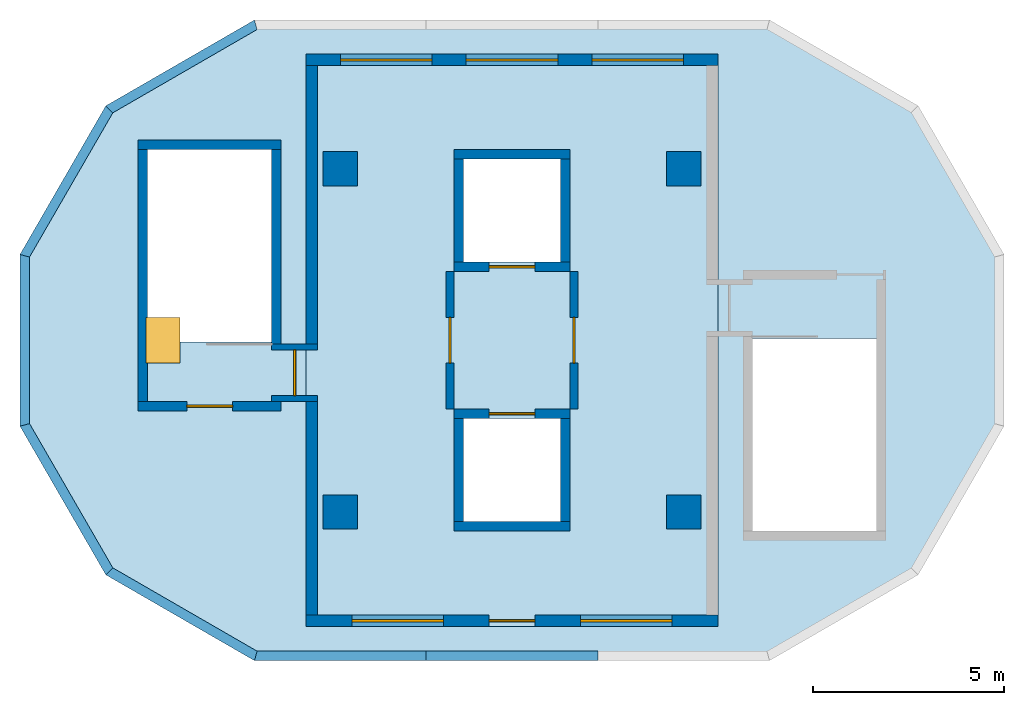
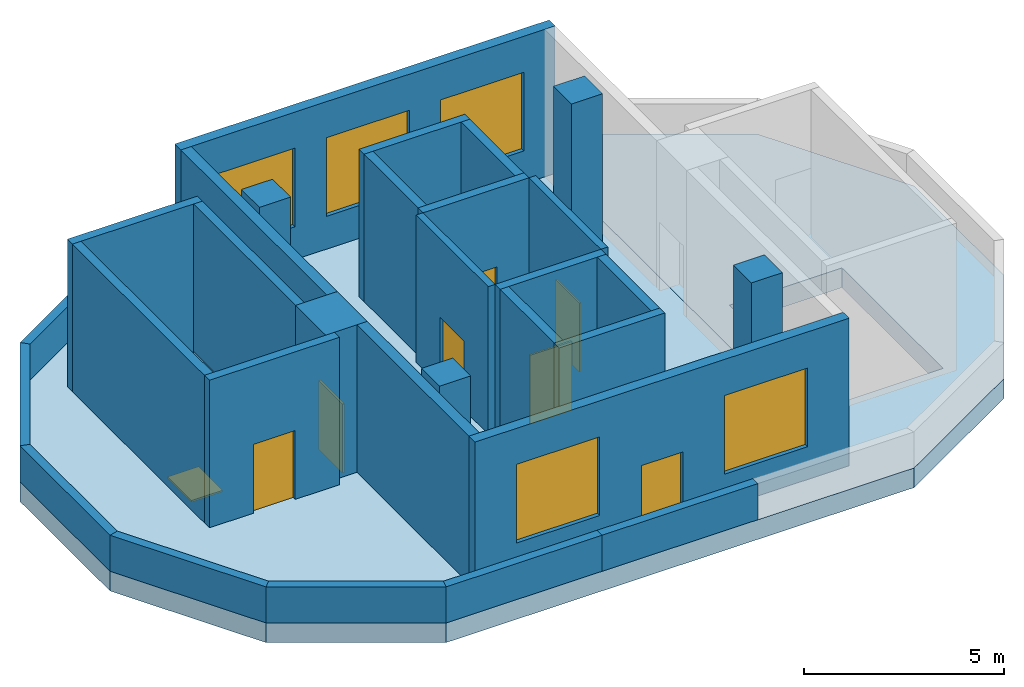
# One storey, part 1 of 3: 26 walls, 7 doors, 6 windows, 4 columns, 2 slabs, 13 openings.
"""IFC4 building model written with IfcOpenShell, lengths in metres."""

from ifc_helpers import new_model, si_unit, direction, frame, frame_2d, origin, origin_2d, place, context, subcontext, project, spatial, polyline, rectangle, outline, extrude, material, layer, layer_set, material_profile, profile_set, type_object, element, fill, save


model = new_model("IFC4")

# Units and contexts
model_context = context("Model", 3, precision=1e-05, world=origin(), true_north=direction((0.0, 1.0)))
body_context = subcontext(model_context, "Body", "Model", "MODEL_VIEW")
ifc_project = project(units=[si_unit("LENGTHUNIT", "METRE"), si_unit("AREAUNIT", "SQUARE_METRE"), si_unit("VOLUMEUNIT", "CUBIC_METRE"), si_unit("PLANEANGLEUNIT", "RADIAN"), si_unit("MASSUNIT", "GRAM", prefix="KILO")], contexts=[model_context])

# Site, building, storey
site_placement = place(None, origin())
site = spatial("IfcSite", under=ifc_project, at=site_placement, CompositionType="ELEMENT")
building_placement = place(site_placement, origin())
building = spatial("IfcBuilding", under=site, at=building_placement, Name="Dhurran Vertical Campus", CompositionType="ELEMENT")
storey_placement = place(building_placement, frame((0.0, 0.0, 341.39990234375)))
storey = spatial("IfcBuildingStorey", under=building, at=storey_placement, Name="Roof", CompositionType="ELEMENT", Elevation=341.39990234375)

# Columns
ifc_material_1 = material(Name="Concrete C50/60", Category="concrete")
ifc_material_profile = material_profile(ifc_material_1, rectangle(XDim=0.89990234375, YDim=0.89990234375, at=origin_2d()), Name="cr/col/mast")
ifc_profile_set = profile_set([ifc_material_profile], Name="Concrete C50/60")
column_type = type_object("IfcColumnType", Name="cr/col/mast", PredefinedType="COLUMN", material=ifc_profile_set)
for number, where, z_axis, x_axis, name in (
    (1, (-4.5, -4.5, 0.0), (0.0, 0.0, 1.0), (1.0, 0.0, 0.0), "Plant drum column 1"),
    (2, (4.5, -4.5, 0.0), (0.0, 0.0, 1.0), (1.0, 0.0, 0.0), "Plant drum column 2"),
    (3, (4.5, 4.5, 0.0), (0.0, 0.0, 1.0), (1.0, 0.0, 0.0), "Plant drum column 3"),
    (4, (-4.5, 4.5, 0.0), (0.0, 0.0, 1.0), (1.0, 0.0, 0.0), "Plant drum column 4"),
):
    element("IfcColumn", number, at=place(storey_placement, frame(where, z_axis=z_axis, x_axis=x_axis)), inside=storey, type_object=column_type, Name=name, PredefinedType="COLUMN", context=body_context, shape_type="SweptSolid", body=[
        extrude(rectangle(XDim=0.89990234375, YDim=0.89990234375, at=origin_2d()), origin(), (0.0, 0.0, 1.0), 4.5),
    ])

# Slab
ifc_material_2 = material(Name="Concrete C40/50", Category="concrete")
ifc_layer_1 = layer(ifc_material_2, 0.60009765625)
ifc_layer_set_1 = layer_set([ifc_layer_1], Name="Concrete C40/50")
slab_type_1 = type_object("IfcSlabType", Name="cr/slab/drumfloor", PredefinedType="FLOOR", material=ifc_layer_set_1)
slab_1_placement = place(storey_placement, frame((0.0, 0.0, -0.599853515625)))
element("IfcSlab", 5, at=slab_1_placement, inside=storey, type_object=slab_type_1, Name="Plant drum floor slab", PredefinedType="FLOOR", context=body_context, shape_type="SweptSolid", body=[
    extrude(outline(polyline([(-5.39990234375, -7.5), (5.39990234375, -7.5), (5.39990234375, 7.5), (-5.39990234375, 7.5), (-5.39990234375, -7.5)]), holes=[polyline([(-1.27490234375, 2.050048828125), (1.27490234375, 2.050048828125), (1.27490234375, 4.75), (-1.27490234375, 4.75), (-1.27490234375, 2.050048828125)]), polyline([(-1.27490234375, -4.75), (1.27490234375, -4.75), (1.27490234375, -2.050048828125), (-1.27490234375, -2.050048828125), (-1.27490234375, -4.75)])]), origin(), (0.0, 0.0, 1.0), 0.599853515625),
])

# Slab, opening, window
ifc_material_3 = material(Name="Concrete C40/50", Category="concrete")
ifc_layer_2 = layer(ifc_material_3, 0.60009765625)
ifc_layer_set_2 = layer_set([ifc_layer_2], Name="Concrete C40/50")
slab_type_2 = type_object("IfcSlabType", Name="cr/slab/roof", PredefinedType="ROOF", material=ifc_layer_set_2)
slab_2_placement = place(storey_placement, frame((0.0, 0.0, -0.599853515625)))
slab_2 = element("IfcSlab", 6, at=slab_2_placement, inside=storey, type_object=slab_type_2, Name="Crown slab Roof", PredefinedType="ROOF", context=body_context, shape_type="SweptSolid", body=[
    extrude(outline(polyline([(-6.75, -8.39697265625), (6.75, -8.39697265625), (10.64697265625, -6.14697265625), (12.89697265625, -2.25), (12.89697265625, 2.25), (10.64697265625, 6.14697265625), (6.75, 8.39697265625), (-6.75, 8.39697265625), (-10.64697265625, 6.14697265625), (-12.89697265625, 2.25), (-12.89697265625, -2.25), (-10.64697265625, -6.14697265625), (-6.75, -8.39697265625)]), holes=[polyline([(-5.39990234375, -7.5), (5.39990234375, -7.5), (5.39990234375, 7.5), (-5.39990234375, 7.5), (-5.39990234375, -7.5)]), polyline([(-6.300048828125, -0.050048828125), (-6.300048828125, 5.0), (-9.550048828125, 5.0), (-9.550048828125, -0.050048828125), (-6.300048828125, -0.050048828125)]), polyline([(6.300048828125, 0.050048828125), (6.300048828125, -5.0), (9.550048828125, -5.0), (9.550048828125, 0.050048828125), (6.300048828125, 0.050048828125)])]), origin(), (0.0, 0.0, 1.0), 0.599853515625),
])
opening_1_placement = place(slab_2_placement, frame((-9.14892578125, 0.0, 0.0)))
opening_1 = element("IfcOpeningElement", 7, at=opening_1_placement, cuts=slab_2, Name="Opening RH1", PredefinedType="OPENING", context=body_context, shape_type="SweptSolid", body=[
    extrude(rectangle(XDim=0.89990234375, YDim=1.199951171875, at=origin_2d()), origin(), (0.0, 0.0, 1.0), 0.599853515625),
])
ifc_material_4 = material(Name="Aluminium and clear glass", Category="aluminium")
window_type_1 = type_object("IfcWindowType", Name="Roof access hatch 900 x 1200", PartitioningType="SINGLE_PANEL", PredefinedType="SKYLIGHT", material=ifc_material_4)
window_1_placement = place(opening_1_placement, frame((0.0, 0.0, 0.5498046875)))
window_1 = element("IfcWindow", 8, at=window_1_placement, inside=storey, type_object=window_type_1, Name="RH1 roof access hatch", OverallHeight=1.199951171875, OverallWidth=0.89990234375, PartitioningType="SINGLE_PANEL", PredefinedType="SKYLIGHT", context=body_context, shape_type="SweptSolid", body=[
    extrude(rectangle(XDim=0.89990234375, YDim=1.199951171875, at=origin_2d()), origin(), (0.0, 0.0, 1.0), 0.050048828125),
])
fill(opening_1, window_1)

# Wall, opening, door
ifc_material_5 = material(Name="Precast concrete C50/60", Category="concrete")
ifc_layer_3 = layer(ifc_material_5, 0.25)
ifc_layer_set_3 = layer_set([ifc_layer_3], Name="Precast concrete C50/60")
wall_type_1 = type_object("IfcWallType", Name="Crown stair head-house wall 250", PredefinedType="SOLIDWALL", material=ifc_layer_set_3)
wall_1_placement = place(storey_placement, frame((-6.050048828125, -1.72509765625, 0.0), z_axis=(0.0, 0.0, 1.0), x_axis=(-1.0, 0.0, 0.0)))
wall_1 = element("IfcWall", 9, at=wall_1_placement, inside=storey, type_object=wall_type_1, Name="HW1 ST5 head-house wall end", PredefinedType="SOLIDWALL", context=body_context, shape_type="SweptSolid", body=[
    extrude(rectangle(XDim=3.75, YDim=0.25, at=frame_2d((1.875, 0.0))), origin(), (0.0, 0.0, 1.0), 4.5),
])
opening_2_placement = place(wall_1_placement, frame((1.27490234375, 0.0, 0.0)))
opening_2 = element("IfcOpeningElement", 10, at=opening_2_placement, cuts=wall_1, Name="Opening D201", PredefinedType="OPENING", context=body_context, shape_type="SweptSolid", body=[
    extrude(rectangle(XDim=1.199951171875, YDim=2.10009765625, at=frame_2d((0.60009765625, 1.050048828125))), frame((0.0, 0.135009765625, 0.0), z_axis=(0.0, -1.0, 0.0), x_axis=(1.0, 0.0, 0.0)), (0.0, 0.0, 1.0), 0.27001953125),
])
ifc_material_6 = material(Name="Steel, fire-rated", Category="steel")
door_type_1 = type_object("IfcDoorType", Name="Head-house exit door 1200 x 2100", OperationType="SINGLE_SWING_LEFT", PredefinedType="DOOR", material=ifc_material_6)
door_1_placement = place(opening_2_placement, origin())
door_1 = element("IfcDoor", 11, at=door_1_placement, inside=storey, type_object=door_type_1, Name="D201 stair ST5 roof access door", OperationType="SINGLE_SWING_LEFT", OverallHeight=2.10009765625, OverallWidth=1.199951171875, PredefinedType="DOOR", context=body_context, shape_type="SweptSolid", body=[
    extrude(rectangle(XDim=1.199951171875, YDim=2.10009765625, at=frame_2d((0.60009765625, 1.050048828125))), frame((0.0, 0.02490234375, 0.0), z_axis=(0.0, -1.0, 0.0), x_axis=(1.0, 0.0, 0.0)), (0.0, 0.0, 1.0), 0.050048828125),
])
fill(opening_2, door_1)

# Walls
wall_2_placement = place(storey_placement, frame((-9.800048828125, 5.125, 0.0), z_axis=(0.0, 0.0, 1.0), x_axis=(1.0, 0.0, 0.0)))
element("IfcWall", 12, at=wall_2_placement, inside=storey, type_object=wall_type_1, Name="HW1 ST5 head-house wall far", PredefinedType="SOLIDWALL", context=body_context, shape_type="SweptSolid", body=[
    extrude(rectangle(XDim=3.75, YDim=0.25, at=frame_2d((1.875, 0.0))), origin(), (0.0, 0.0, 1.0), 4.5),
])
wall_3_placement = place(storey_placement, frame((-9.675048828125, -1.60009765625, 0.0), z_axis=(0.0, 0.0, 1.0), x_axis=(0.0, 1.0, 0.0)))
element("IfcWall", 13, at=wall_3_placement, inside=storey, type_object=wall_type_1, Name="HW1 ST5 head-house wall west", PredefinedType="SOLIDWALL", context=body_context, shape_type="SweptSolid", body=[
    extrude(rectangle(XDim=6.60009765625, YDim=0.25, at=frame_2d((3.300048828125, 0.0))), origin(), (0.0, 0.0, 1.0), 4.5),
])
wall_4_placement = place(storey_placement, frame((-6.175048828125, -0.10009765625, 0.0), z_axis=(0.0, 0.0, 1.0), x_axis=(0.0, 1.0, 0.0)))
element("IfcWall", 14, at=wall_4_placement, inside=storey, type_object=wall_type_1, Name="HW1 ST5 head-house wall east", PredefinedType="SOLIDWALL", context=body_context, shape_type="SweptSolid", body=[
    extrude(rectangle(XDim=5.10009765625, YDim=0.25, at=frame_2d((2.550048828125, 0.0))), origin(), (0.0, 0.0, 1.0), 4.5),
])

# Wall, opening, door
ifc_material_7 = material(Name="Precast concrete C50/60", Category="concrete")
ifc_layer_4 = layer(ifc_material_7, 1.199951171875)
ifc_layer_set_4 = layer_set([ifc_layer_4], Name="Precast concrete C50/60")
wall_type_2 = type_object("IfcWallType", Name="Crown stair link wall 1200", PredefinedType="SOLIDWALL", material=ifc_layer_set_4)
wall_5_placement = place(storey_placement, frame((-5.699951171875, -1.60009765625, 0.0), z_axis=(0.0, 0.0, 1.0), x_axis=(0.0, 1.0, 0.0)))
wall_5 = element("IfcWall", 15, at=wall_5_placement, inside=storey, type_object=wall_type_2, Name="HW2 ST5 link wall", PredefinedType="SOLIDWALL", context=body_context, shape_type="SweptSolid", body=[
    extrude(rectangle(XDim=1.5, YDim=1.199951171875, at=frame_2d((0.75, 0.0))), origin(), (0.0, 0.0, 1.0), 4.5),
])
opening_3_placement = place(wall_5_placement, frame((0.14990234375, 0.0, 0.0)))
opening_3 = element("IfcOpeningElement", 16, at=opening_3_placement, cuts=wall_5, Name="Opening D204", PredefinedType="OPENING", context=body_context, shape_type="SweptSolid", body=[
    extrude(rectangle(XDim=1.199951171875, YDim=2.10009765625, at=frame_2d((0.60009765625, 1.050048828125))), frame((0.0, 0.60986328125, 0.0), z_axis=(0.0, -1.0, 0.0), x_axis=(1.0, 0.0, 0.0)), (0.0, 0.0, 1.0), 1.219970703125),
])
ifc_material_8 = material(Name="Steel, fire-rated", Category="steel")
door_type_2 = type_object("IfcDoorType", Name="Plant drum door 1200 x 2100", OperationType="SINGLE_SWING_LEFT", PredefinedType="DOOR", material=ifc_material_8)
door_2_placement = place(opening_3_placement, origin())
door_2 = element("IfcDoor", 17, at=door_2_placement, inside=storey, type_object=door_type_2, Name="D204 plant room to stair ST5 door", OperationType="SINGLE_SWING_LEFT", OverallHeight=2.10009765625, OverallWidth=1.199951171875, PredefinedType="DOOR", context=body_context, shape_type="SweptSolid", body=[
    extrude(rectangle(XDim=1.199951171875, YDim=2.10009765625, at=frame_2d((0.60009765625, 1.050048828125))), frame((0.0, 0.02490234375, 0.0), z_axis=(0.0, -1.0, 0.0), x_axis=(1.0, 0.0, 0.0)), (0.0, 0.0, 1.0), 0.050048828125),
])
fill(opening_3, door_2)

# Wall, openings, windows, door
ifc_material_9 = material(Name="Precast concrete C50/60", Category="concrete")
ifc_layer_5 = layer(ifc_material_9, 0.300048828125)
ifc_layer_set_5 = layer_set([ifc_layer_5], Name="Precast concrete C50/60")
wall_type_3 = type_object("IfcWallType", Name="Precast louvre-bay wall 300", PredefinedType="SOLIDWALL", material=ifc_layer_set_5)
wall_6_placement = place(storey_placement, frame((-5.39990234375, -7.35009765625, 0.0), z_axis=(0.0, 0.0, 1.0), x_axis=(1.0, 0.0, 0.0)))
wall_6 = element("IfcWall", 18, at=wall_6_placement, inside=storey, type_object=wall_type_3, Name="EW3 plant drum wall S", PredefinedType="SOLIDWALL", context=body_context, shape_type="SweptSolid", body=[
    extrude(rectangle(XDim=10.7998046875, YDim=0.300048828125, at=frame_2d((5.39990234375, 0.0))), origin(), (0.0, 0.0, 1.0), 4.5),
])
opening_4_placement = place(wall_6_placement, frame((1.199951171875, 0.0, 1.0)))
opening_4 = element("IfcOpeningElement", 19, at=opening_4_placement, cuts=wall_6, Name="Opening WT4", PredefinedType="OPENING", context=body_context, shape_type="SweptSolid", body=[
    extrude(rectangle(XDim=2.39990234375, YDim=2.39990234375, at=frame_2d((1.199951171875, 1.199951171875))), frame((0.0, 0.159912109375, 0.0), z_axis=(0.0, -1.0, 0.0), x_axis=(1.0, 0.0, 0.0)), (0.0, 0.0, 1.0), 0.320068359375),
])
opening_5_placement = place(wall_6_placement, frame((4.800048828125, 0.0, 0.0)))
opening_5 = element("IfcOpeningElement", 20, at=opening_5_placement, cuts=wall_6, Name="Opening D203", PredefinedType="OPENING", context=body_context, shape_type="SweptSolid", body=[
    extrude(rectangle(XDim=1.199951171875, YDim=2.10009765625, at=frame_2d((0.60009765625, 1.050048828125))), frame((0.0, 0.159912109375, 0.0), z_axis=(0.0, -1.0, 0.0), x_axis=(1.0, 0.0, 0.0)), (0.0, 0.0, 1.0), 0.320068359375),
])
opening_6_placement = place(wall_6_placement, frame((7.199951171875, 0.0, 1.0)))
opening_6 = element("IfcOpeningElement", 21, at=opening_6_placement, cuts=wall_6, Name="Opening WT4", PredefinedType="OPENING", context=body_context, shape_type="SweptSolid", body=[
    extrude(rectangle(XDim=2.39990234375, YDim=2.39990234375, at=frame_2d((1.199951171875, 1.199951171875))), frame((0.0, 0.159912109375, 0.0), z_axis=(0.0, -1.0, 0.0), x_axis=(1.0, 0.0, 0.0)), (0.0, 0.0, 1.0), 0.320068359375),
])
ifc_material_10 = material(Name="Aluminium louvre", Category="aluminium")
window_type_2 = type_object("IfcWindowType", Name="Louvred plant vent 2400 x 2400", PartitioningType="SINGLE_PANEL", PredefinedType="WINDOW", material=ifc_material_10)
window_2_placement = place(opening_4_placement, origin())
window_2 = element("IfcWindow", 22, at=window_2_placement, inside=storey, type_object=window_type_2, Name="WT4 plant drum S.1", OverallHeight=2.39990234375, OverallWidth=2.39990234375, PartitioningType="SINGLE_PANEL", PredefinedType="WINDOW", context=body_context, shape_type="SweptSolid", body=[
    extrude(rectangle(XDim=2.39990234375, YDim=2.39990234375, at=frame_2d((1.199951171875, 1.199951171875))), frame((0.0, 0.030029296875, 0.0), z_axis=(0.0, -1.0, 0.0), x_axis=(1.0, 0.0, 0.0)), (0.0, 0.0, 1.0), 0.06005859375),
])
fill(opening_4, window_2)
window_3_placement = place(opening_6_placement, origin())
window_3 = element("IfcWindow", 23, at=window_3_placement, inside=storey, type_object=window_type_2, Name="WT4 plant drum S.3", OverallHeight=2.39990234375, OverallWidth=2.39990234375, PartitioningType="SINGLE_PANEL", PredefinedType="WINDOW", context=body_context, shape_type="SweptSolid", body=[
    extrude(rectangle(XDim=2.39990234375, YDim=2.39990234375, at=frame_2d((1.199951171875, 1.199951171875))), frame((0.0, 0.030029296875, 0.0), z_axis=(0.0, -1.0, 0.0), x_axis=(1.0, 0.0, 0.0)), (0.0, 0.0, 1.0), 0.06005859375),
])
fill(opening_6, window_3)
door_3_placement = place(opening_5_placement, origin())
door_3 = element("IfcDoor", 24, at=door_3_placement, inside=storey, type_object=door_type_2, Name="D203 plant drum maintenance door", OperationType="SINGLE_SWING_LEFT", OverallHeight=2.10009765625, OverallWidth=1.199951171875, PredefinedType="DOOR", context=body_context, shape_type="SweptSolid", body=[
    extrude(rectangle(XDim=1.199951171875, YDim=2.10009765625, at=frame_2d((0.60009765625, 1.050048828125))), frame((0.0, 0.02490234375, 0.0), z_axis=(0.0, -1.0, 0.0), x_axis=(1.0, 0.0, 0.0)), (0.0, 0.0, 1.0), 0.050048828125),
])
fill(opening_5, door_3)

# Wall, openings, windows
wall_7_placement = place(storey_placement, frame((-5.39990234375, 7.35009765625, 0.0), z_axis=(0.0, 0.0, 1.0), x_axis=(1.0, 0.0, 0.0)))
wall_7 = element("IfcWall", 25, at=wall_7_placement, inside=storey, type_object=wall_type_3, Name="EW3 plant drum wall N", PredefinedType="SOLIDWALL", context=body_context, shape_type="SweptSolid", body=[
    extrude(rectangle(XDim=10.7998046875, YDim=0.300048828125, at=frame_2d((5.39990234375, 0.0))), origin(), (0.0, 0.0, 1.0), 4.5),
])
opening_7_placement = place(wall_7_placement, frame((0.89990234375, 0.0, 1.0)))
opening_7 = element("IfcOpeningElement", 26, at=opening_7_placement, cuts=wall_7, Name="Opening WT4", PredefinedType="OPENING", context=body_context, shape_type="SweptSolid", body=[
    extrude(rectangle(XDim=2.39990234375, YDim=2.39990234375, at=frame_2d((1.199951171875, 1.199951171875))), frame((0.0, 0.159912109375, 0.0), z_axis=(0.0, -1.0, 0.0), x_axis=(1.0, 0.0, 0.0)), (0.0, 0.0, 1.0), 0.320068359375),
])
opening_8_placement = place(wall_7_placement, frame((4.199951171875, 0.0, 1.0)))
opening_8 = element("IfcOpeningElement", 27, at=opening_8_placement, cuts=wall_7, Name="Opening WT4", PredefinedType="OPENING", context=body_context, shape_type="SweptSolid", body=[
    extrude(rectangle(XDim=2.39990234375, YDim=2.39990234375, at=frame_2d((1.199951171875, 1.199951171875))), frame((0.0, 0.159912109375, 0.0), z_axis=(0.0, -1.0, 0.0), x_axis=(1.0, 0.0, 0.0)), (0.0, 0.0, 1.0), 0.320068359375),
])
opening_9_placement = place(wall_7_placement, frame((7.5, 0.0, 1.0)))
opening_9 = element("IfcOpeningElement", 28, at=opening_9_placement, cuts=wall_7, Name="Opening WT4", PredefinedType="OPENING", context=body_context, shape_type="SweptSolid", body=[
    extrude(rectangle(XDim=2.39990234375, YDim=2.39990234375, at=frame_2d((1.199951171875, 1.199951171875))), frame((0.0, 0.159912109375, 0.0), z_axis=(0.0, -1.0, 0.0), x_axis=(1.0, 0.0, 0.0)), (0.0, 0.0, 1.0), 0.320068359375),
])
window_4_placement = place(opening_7_placement, origin())
window_4 = element("IfcWindow", 29, at=window_4_placement, inside=storey, type_object=window_type_2, Name="WT4 plant drum N.1", OverallHeight=2.39990234375, OverallWidth=2.39990234375, PartitioningType="SINGLE_PANEL", PredefinedType="WINDOW", context=body_context, shape_type="SweptSolid", body=[
    extrude(rectangle(XDim=2.39990234375, YDim=2.39990234375, at=frame_2d((1.199951171875, 1.199951171875))), frame((0.0, 0.030029296875, 0.0), z_axis=(0.0, -1.0, 0.0), x_axis=(1.0, 0.0, 0.0)), (0.0, 0.0, 1.0), 0.06005859375),
])
fill(opening_7, window_4)
window_5_placement = place(opening_8_placement, origin())
window_5 = element("IfcWindow", 30, at=window_5_placement, inside=storey, type_object=window_type_2, Name="WT4 plant drum N.2", OverallHeight=2.39990234375, OverallWidth=2.39990234375, PartitioningType="SINGLE_PANEL", PredefinedType="WINDOW", context=body_context, shape_type="SweptSolid", body=[
    extrude(rectangle(XDim=2.39990234375, YDim=2.39990234375, at=frame_2d((1.199951171875, 1.199951171875))), frame((0.0, 0.030029296875, 0.0), z_axis=(0.0, -1.0, 0.0), x_axis=(1.0, 0.0, 0.0)), (0.0, 0.0, 1.0), 0.06005859375),
])
fill(opening_8, window_5)
window_6_placement = place(opening_9_placement, origin())
window_6 = element("IfcWindow", 31, at=window_6_placement, inside=storey, type_object=window_type_2, Name="WT4 plant drum N.3", OverallHeight=2.39990234375, OverallWidth=2.39990234375, PartitioningType="SINGLE_PANEL", PredefinedType="WINDOW", context=body_context, shape_type="SweptSolid", body=[
    extrude(rectangle(XDim=2.39990234375, YDim=2.39990234375, at=frame_2d((1.199951171875, 1.199951171875))), frame((0.0, 0.030029296875, 0.0), z_axis=(0.0, -1.0, 0.0), x_axis=(1.0, 0.0, 0.0)), (0.0, 0.0, 1.0), 0.06005859375),
])
fill(opening_9, window_6)

# Walls
wall_8_placement = place(storey_placement, frame((-5.25, -7.199951171875, 0.0), z_axis=(0.0, 0.0, 1.0), x_axis=(0.0, 1.0, 0.0)))
element("IfcWall", 32, at=wall_8_placement, inside=storey, type_object=wall_type_3, Name="EW3 plant drum wall W1", PredefinedType="SOLIDWALL", context=body_context, shape_type="SweptSolid", body=[
    extrude(rectangle(XDim=5.599853515625, YDim=0.300048828125, at=frame_2d((2.7998046875, 0.0))), origin(), (0.0, 0.0, 1.0), 4.5),
])
wall_9_placement = place(storey_placement, frame((-5.25, -0.10009765625, 0.0), z_axis=(0.0, 0.0, 1.0), x_axis=(0.0, 1.0, 0.0)))
element("IfcWall", 33, at=wall_9_placement, inside=storey, type_object=wall_type_3, Name="EW3 plant drum wall W2", PredefinedType="SOLIDWALL", context=body_context, shape_type="SweptSolid", body=[
    extrude(rectangle(XDim=7.300048828125, YDim=0.300048828125, at=frame_2d((3.64990234375, 0.0))), origin(), (0.0, 0.0, 1.0), 4.5),
])
ifc_material_11 = material(Name="Precast concrete C50/60", Category="concrete")
ifc_layer_6 = layer(ifc_material_11, 0.25)
ifc_layer_set_6 = layer_set([ifc_layer_6], Name="Precast concrete C50/60")
wall_type_4 = type_object("IfcWallType", Name="Precast parapet 250", PredefinedType="PARAPET", material=ifc_layer_set_6)
wall_10_placement = place(storey_placement, origin())
element("IfcWall", 34, at=wall_10_placement, inside=storey, type_object=wall_type_4, Name="PW1 Roof.00", PredefinedType="PARAPET", context=body_context, shape_type="SweptSolid", body=[
    extrude(outline(polyline([(-6.75, -8.397216796875), (-2.25, -8.397216796875), (-2.25, -8.147216796875), (-6.68310546875, -8.147216796875), (-6.75, -8.397216796875)])), origin(), (0.0, 0.0, 1.0), 1.10009765625),
])
wall_11_placement = place(storey_placement, origin())
element("IfcWall", 35, at=wall_11_placement, inside=storey, type_object=wall_type_4, Name="PW1 Roof.01", PredefinedType="PARAPET", context=body_context, shape_type="SweptSolid", body=[
    extrude(outline(polyline([(-2.25, -8.397216796875), (2.25, -8.397216796875), (2.25, -8.147216796875), (-2.25, -8.147216796875), (-2.25, -8.397216796875)])), origin(), (0.0, 0.0, 1.0), 1.10009765625),
])
wall_12_placement = place(storey_placement, origin())
element("IfcWall", 36, at=wall_12_placement, inside=storey, type_object=wall_type_4, Name="PW1 Roof.11", PredefinedType="PARAPET", context=body_context, shape_type="SweptSolid", body=[
    extrude(outline(polyline([(-6.75, 8.397216796875), (-10.647216796875, 6.147216796875), (-10.464111328125, 5.964111328125), (-6.68310546875, 8.147216796875), (-6.75, 8.397216796875)])), origin(), (0.0, 0.0, 1.0), 1.10009765625),
])
wall_13_placement = place(storey_placement, origin())
element("IfcWall", 37, at=wall_13_placement, inside=storey, type_object=wall_type_4, Name="PW1 Roof.12", PredefinedType="PARAPET", context=body_context, shape_type="SweptSolid", body=[
    extrude(outline(polyline([(-10.647216796875, 6.147216796875), (-12.897216796875, 2.25), (-12.647216796875, 2.18310546875), (-10.464111328125, 5.964111328125), (-10.647216796875, 6.147216796875)])), origin(), (0.0, 0.0, 1.0), 1.10009765625),
])
wall_14_placement = place(storey_placement, origin())
element("IfcWall", 38, at=wall_14_placement, inside=storey, type_object=wall_type_4, Name="PW1 Roof.13", PredefinedType="PARAPET", context=body_context, shape_type="SweptSolid", body=[
    extrude(outline(polyline([(-12.897216796875, 2.25), (-12.897216796875, -2.25), (-12.647216796875, -2.18310546875), (-12.647216796875, 2.18310546875), (-12.897216796875, 2.25)])), origin(), (0.0, 0.0, 1.0), 1.10009765625),
])
wall_15_placement = place(storey_placement, origin())
element("IfcWall", 39, at=wall_15_placement, inside=storey, type_object=wall_type_4, Name="PW1 Roof.14", PredefinedType="PARAPET", context=body_context, shape_type="SweptSolid", body=[
    extrude(outline(polyline([(-12.897216796875, -2.25), (-10.647216796875, -6.147216796875), (-10.464111328125, -5.964111328125), (-12.647216796875, -2.18310546875), (-12.897216796875, -2.25)])), origin(), (0.0, 0.0, 1.0), 1.10009765625),
])
wall_16_placement = place(storey_placement, origin())
element("IfcWall", 40, at=wall_16_placement, inside=storey, type_object=wall_type_4, Name="PW1 Roof.15", PredefinedType="PARAPET", context=body_context, shape_type="SweptSolid", body=[
    extrude(outline(polyline([(-10.647216796875, -6.147216796875), (-6.75, -8.397216796875), (-6.68310546875, -8.147216796875), (-10.464111328125, -5.964111328125), (-10.647216796875, -6.147216796875)])), origin(), (0.0, 0.0, 1.0), 1.10009765625),
])

# Wall, opening, door
ifc_material_12 = material(Name="Fire-rated masonry blockwork", Category="masonry")
ifc_layer_7 = layer(ifc_material_12, 0.199951171875)
ifc_layer_set_7 = layer_set([ifc_layer_7], Name="Fire-rated masonry blockwork")
wall_type_5 = type_object("IfcWallType", Name="co-FIRE-PARTITION-200", PredefinedType="PARTITIONING", material=ifc_layer_set_7)
wall_17_placement = place(storey_placement, frame((-1.625, -1.800048828125, 0.0), z_axis=(0.0, 0.0, 1.0), x_axis=(0.0, 1.0, 0.0)))
wall_17 = element("IfcWall", 41, at=wall_17_placement, inside=storey, type_object=wall_type_5, Name="Firefighting lobby wall W Roof", PredefinedType="PARTITIONING", context=body_context, shape_type="SweptSolid", body=[
    extrude(rectangle(XDim=3.60009765625, YDim=0.199951171875, at=frame_2d((1.800048828125, 0.0))), origin(), (0.0, 0.0, 1.0), 4.5),
])
opening_10_placement = place(wall_17_placement, frame((1.199951171875, 0.0, 0.0)))
opening_10 = element("IfcOpeningElement", 42, at=opening_10_placement, cuts=wall_17, Name="Opening FL1", PredefinedType="OPENING", context=body_context, shape_type="SweptSolid", body=[
    extrude(rectangle(XDim=1.199951171875, YDim=2.10009765625, at=frame_2d((0.60009765625, 1.050048828125))), frame((0.0, 0.10986328125, 0.0), z_axis=(0.0, -1.0, 0.0), x_axis=(1.0, 0.0, 0.0)), (0.0, 0.0, 1.0), 0.219970703125),
])
ifc_material_13 = material(Name="Fire-rated steel door set", Category="steel")
door_type_3 = type_object("IfcDoorType", Name="co-D-FFLOBBY 1200x2100", OperationType="SINGLE_SWING_LEFT", PredefinedType="DOOR", material=ifc_material_13)
door_4_placement = place(opening_10_placement, origin())
door_4 = element("IfcDoor", 43, at=door_4_placement, inside=storey, type_object=door_type_3, Name="Firefighting lobby door W Roof", OperationType="SINGLE_SWING_LEFT", OverallHeight=2.10009765625, OverallWidth=1.199951171875, PredefinedType="DOOR", context=body_context, shape_type="SweptSolid", body=[
    extrude(rectangle(XDim=1.199951171875, YDim=2.10009765625, at=frame_2d((0.60009765625, 1.050048828125))), frame((0.0, 0.02490234375, 0.0), z_axis=(0.0, -1.0, 0.0), x_axis=(1.0, 0.0, 0.0)), (0.0, 0.0, 1.0), 0.050048828125),
])
fill(opening_10, door_4)

wall_18_placement = place(storey_placement, frame((1.625, -1.800048828125, 0.0), z_axis=(0.0, 0.0, 1.0), x_axis=(0.0, 1.0, 0.0)))
wall_18 = element("IfcWall", 44, at=wall_18_placement, inside=storey, type_object=wall_type_5, Name="Firefighting lobby wall E Roof", PredefinedType="PARTITIONING", context=body_context, shape_type="SweptSolid", body=[
    extrude(rectangle(XDim=3.60009765625, YDim=0.199951171875, at=frame_2d((1.800048828125, 0.0))), origin(), (0.0, 0.0, 1.0), 4.5),
])
opening_11_placement = place(wall_18_placement, frame((1.199951171875, 0.0, 0.0)))
opening_11 = element("IfcOpeningElement", 45, at=opening_11_placement, cuts=wall_18, Name="Opening FL2", PredefinedType="OPENING", context=body_context, shape_type="SweptSolid", body=[
    extrude(rectangle(XDim=1.199951171875, YDim=2.10009765625, at=frame_2d((0.60009765625, 1.050048828125))), frame((0.0, 0.10986328125, 0.0), z_axis=(0.0, -1.0, 0.0), x_axis=(1.0, 0.0, 0.0)), (0.0, 0.0, 1.0), 0.219970703125),
])
door_5_placement = place(opening_11_placement, origin())
door_5 = element("IfcDoor", 46, at=door_5_placement, inside=storey, type_object=door_type_3, Name="Firefighting lobby door E Roof", OperationType="SINGLE_SWING_LEFT", OverallHeight=2.10009765625, OverallWidth=1.199951171875, PredefinedType="DOOR", context=body_context, shape_type="SweptSolid", body=[
    extrude(rectangle(XDim=1.199951171875, YDim=2.10009765625, at=frame_2d((0.60009765625, 1.050048828125))), frame((0.0, 0.02490234375, 0.0), z_axis=(0.0, -1.0, 0.0), x_axis=(1.0, 0.0, 0.0)), (0.0, 0.0, 1.0), 0.050048828125),
])
fill(opening_11, door_5)

ifc_material_14 = material(Name="Concrete C50/60", Category="concrete")
ifc_layer_8 = layer(ifc_material_14, 0.25)
ifc_layer_set_8 = layer_set([ifc_layer_8], Name="Concrete C50/60")
wall_type_6 = type_object("IfcWallType", Name="co-SHAFT-FRONT-250", PredefinedType="SHEAR", material=ifc_layer_set_8)
wall_19_placement = place(storey_placement, frame((-1.52490234375, 1.925048828125, 0.0), z_axis=(0.0, 0.0, 1.0), x_axis=(1.0, 0.0, 0.0)))
wall_19 = element("IfcWall", 47, at=wall_19_placement, inside=storey, type_object=wall_type_6, Name="Lift landing wall N Roof", PredefinedType="SHEAR", context=body_context, shape_type="SweptSolid", body=[
    extrude(rectangle(XDim=3.0498046875, YDim=0.25, at=frame_2d((1.52490234375, 0.0))), origin(), (0.0, 0.0, 1.0), 4.5),
])
opening_12_placement = place(wall_19_placement, frame((0.925048828125, 0.0, 0.0)))
opening_12 = element("IfcOpeningElement", 48, at=opening_12_placement, cuts=wall_19, Name="Opening LD", PredefinedType="OPENING", context=body_context, shape_type="SweptSolid", body=[
    extrude(rectangle(XDim=1.199951171875, YDim=2.10009765625, at=frame_2d((0.60009765625, 1.050048828125))), frame((0.0, 0.135009765625, 0.0), z_axis=(0.0, -1.0, 0.0), x_axis=(1.0, 0.0, 0.0)), (0.0, 0.0, 1.0), 0.27001953125),
])
ifc_material_15 = material(Name="Stainless steel landing door", Category="steel")
door_type_4 = type_object("IfcDoorType", Name="co-D-LANDING 1200x2100", OperationType="DOUBLE_DOOR_SLIDING", PredefinedType="DOOR", material=ifc_material_15)
door_6_placement = place(opening_12_placement, origin())
door_6 = element("IfcDoor", 49, at=door_6_placement, inside=storey, type_object=door_type_4, Name="Landing door FF1 Roof", OperationType="DOUBLE_DOOR_SLIDING", OverallHeight=2.10009765625, OverallWidth=1.199951171875, PredefinedType="DOOR", context=body_context, shape_type="SweptSolid", body=[
    extrude(rectangle(XDim=1.199951171875, YDim=2.10009765625, at=frame_2d((0.60009765625, 1.050048828125))), frame((0.0, 0.02490234375, 0.0), z_axis=(0.0, -1.0, 0.0), x_axis=(1.0, 0.0, 0.0)), (0.0, 0.0, 1.0), 0.050048828125),
])
fill(opening_12, door_6)

wall_20_placement = place(storey_placement, frame((-1.52490234375, -1.925048828125, 0.0), z_axis=(0.0, 0.0, 1.0), x_axis=(1.0, 0.0, 0.0)))
wall_20 = element("IfcWall", 50, at=wall_20_placement, inside=storey, type_object=wall_type_6, Name="Lift landing wall S Roof", PredefinedType="SHEAR", context=body_context, shape_type="SweptSolid", body=[
    extrude(rectangle(XDim=3.0498046875, YDim=0.25, at=frame_2d((1.52490234375, 0.0))), origin(), (0.0, 0.0, 1.0), 4.5),
])
opening_13_placement = place(wall_20_placement, frame((0.925048828125, 0.0, 0.0)))
opening_13 = element("IfcOpeningElement", 51, at=opening_13_placement, cuts=wall_20, Name="Opening LD", PredefinedType="OPENING", context=body_context, shape_type="SweptSolid", body=[
    extrude(rectangle(XDim=1.199951171875, YDim=2.10009765625, at=frame_2d((0.60009765625, 1.050048828125))), frame((0.0, 0.135009765625, 0.0), z_axis=(0.0, -1.0, 0.0), x_axis=(1.0, 0.0, 0.0)), (0.0, 0.0, 1.0), 0.27001953125),
])
door_7_placement = place(opening_13_placement, origin())
door_7 = element("IfcDoor", 52, at=door_7_placement, inside=storey, type_object=door_type_4, Name="Landing door FF2 Roof", OperationType="DOUBLE_DOOR_SLIDING", OverallHeight=2.10009765625, OverallWidth=1.199951171875, PredefinedType="DOOR", context=body_context, shape_type="SweptSolid", body=[
    extrude(rectangle(XDim=1.199951171875, YDim=2.10009765625, at=frame_2d((0.60009765625, 1.050048828125))), frame((0.0, 0.02490234375, 0.0), z_axis=(0.0, -1.0, 0.0), x_axis=(1.0, 0.0, 0.0)), (0.0, 0.0, 1.0), 0.050048828125),
])
fill(opening_13, door_7)

# Walls
ifc_material_16 = material(Name="Concrete C50/60", Category="concrete")
ifc_layer_9 = layer(ifc_material_16, 0.25)
ifc_layer_set_9 = layer_set([ifc_layer_9], Name="Concrete C50/60")
wall_type_7 = type_object("IfcWallType", Name="co-SHAFT-MASS-250", PredefinedType="SHEAR", material=ifc_layer_set_9)
wall_21_placement = place(storey_placement, origin())
element("IfcWall", 53, at=wall_21_placement, inside=storey, type_object=wall_type_7, Name="Lift shaft wall N Roof 1", PredefinedType="SHEAR", context=body_context, shape_type="SweptSolid", body=[
    extrude(outline(polyline([(-1.52490234375, 4.75), (1.52490234375, 4.75), (1.52490234375, 5.0), (-1.52490234375, 5.0), (-1.52490234375, 4.75)])), origin(), (0.0, 0.0, 1.0), 4.5),
])
wall_22_placement = place(storey_placement, origin())
element("IfcWall", 54, at=wall_22_placement, inside=storey, type_object=wall_type_7, Name="Lift shaft wall N Roof 2", PredefinedType="SHEAR", context=body_context, shape_type="SweptSolid", body=[
    extrude(outline(polyline([(-1.52490234375, 2.050048828125), (-1.27490234375, 2.050048828125), (-1.27490234375, 4.75), (-1.52490234375, 4.75), (-1.52490234375, 2.050048828125)])), origin(), (0.0, 0.0, 1.0), 4.5),
])
wall_23_placement = place(storey_placement, origin())
element("IfcWall", 55, at=wall_23_placement, inside=storey, type_object=wall_type_7, Name="Lift shaft wall N Roof 3", PredefinedType="SHEAR", context=body_context, shape_type="SweptSolid", body=[
    extrude(outline(polyline([(1.27490234375, 2.050048828125), (1.52490234375, 2.050048828125), (1.52490234375, 4.75), (1.27490234375, 4.75), (1.27490234375, 2.050048828125)])), origin(), (0.0, 0.0, 1.0), 4.5),
])
wall_24_placement = place(storey_placement, origin())
element("IfcWall", 56, at=wall_24_placement, inside=storey, type_object=wall_type_7, Name="Lift shaft wall S Roof 1", PredefinedType="SHEAR", context=body_context, shape_type="SweptSolid", body=[
    extrude(outline(polyline([(-1.52490234375, -5.0), (1.52490234375, -5.0), (1.52490234375, -4.75), (-1.52490234375, -4.75), (-1.52490234375, -5.0)])), origin(), (0.0, 0.0, 1.0), 4.5),
])
wall_25_placement = place(storey_placement, origin())
element("IfcWall", 57, at=wall_25_placement, inside=storey, type_object=wall_type_7, Name="Lift shaft wall S Roof 2", PredefinedType="SHEAR", context=body_context, shape_type="SweptSolid", body=[
    extrude(outline(polyline([(-1.52490234375, -4.75), (-1.27490234375, -4.75), (-1.27490234375, -2.050048828125), (-1.52490234375, -2.050048828125), (-1.52490234375, -4.75)])), origin(), (0.0, 0.0, 1.0), 4.5),
])
wall_26_placement = place(storey_placement, origin())
element("IfcWall", 58, at=wall_26_placement, inside=storey, type_object=wall_type_7, Name="Lift shaft wall S Roof 3", PredefinedType="SHEAR", context=body_context, shape_type="SweptSolid", body=[
    extrude(outline(polyline([(1.27490234375, -4.75), (1.52490234375, -4.75), (1.52490234375, -2.050048828125), (1.27490234375, -2.050048828125), (1.27490234375, -4.75)])), origin(), (0.0, 0.0, 1.0), 4.5),
])

save(model, "model.ifc")
